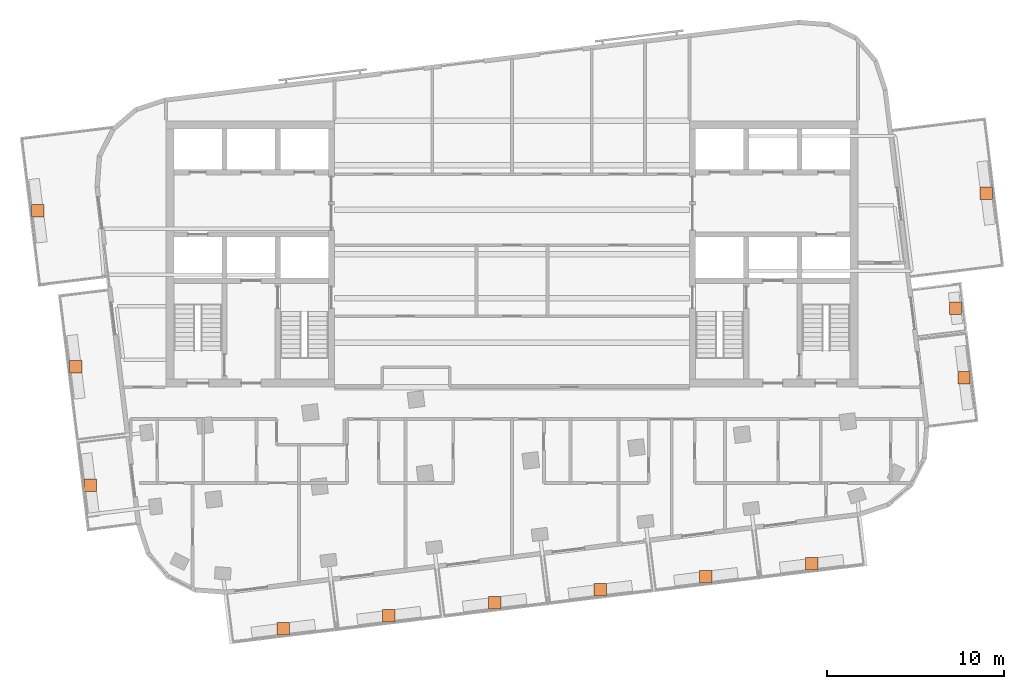
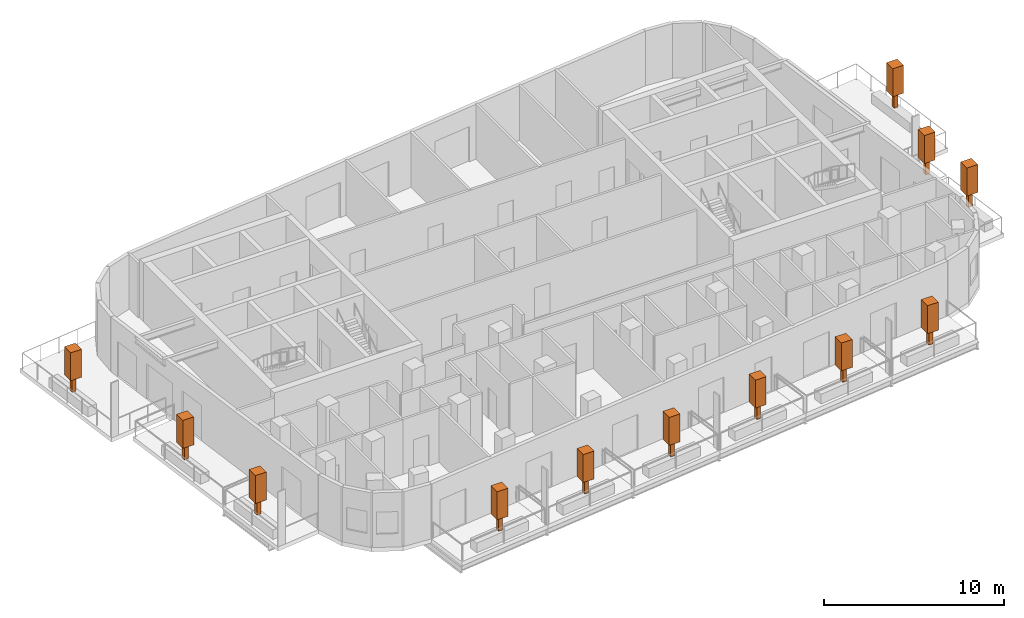
# One storey, part 11 of 11: 12 geographic elements.
"""IFC4 building model written with IfcOpenShell, lengths in metres."""

from ifc_helpers import new_model, si_unit, direction, frame, origin, origin_2d, place, context, subcontext, project, spatial, rectangle, extrude, material, element, save


model = new_model("IFC4")

# Units and contexts
model_context = context("Model", 3, precision=1e-05, world=origin(), true_north=direction((0.0, 1.0)))
body_context = subcontext(model_context, "Body", "Model", "MODEL_VIEW")
ifc_project = project(units=[si_unit("LENGTHUNIT", "METRE"), si_unit("AREAUNIT", "SQUARE_METRE"), si_unit("VOLUMEUNIT", "CUBIC_METRE"), si_unit("PLANEANGLEUNIT", "RADIAN"), si_unit("MASSUNIT", "GRAM", prefix="KILO")], contexts=[model_context])

# Site, building, storey
site_placement = place(None, origin())
site = spatial("IfcSite", under=ifc_project, at=site_placement, CompositionType="ELEMENT")
building_placement = place(site_placement, origin())
building = spatial("IfcBuilding", under=site, at=building_placement, Name="Torana Hotel and Residences", CompositionType="ELEMENT")
storey_placement = place(building_placement, frame((0.0, 0.0, 322.60009765625)))
storey = spatial("IfcBuildingStorey", under=building, at=storey_placement, Name="L85", CompositionType="ELEMENT", Elevation=322.60009765625)

# Geographic elements
ifc_material = material(Name="Foliage", Category="planting")
for number, where, z_axis, x_axis, name in (
    (1, (-12.8896484375, -28.605712890625, 0.64990234375), (0.0, 0.0, 1.0), (1.0, 0.0, 0.0), "Tree 01"),
    (2, (-6.934326171875, -27.87451171875, 0.64990234375), (0.0, 0.0, 1.0), (1.0, 0.0, 0.0), "Tree 02"),
    (3, (-0.97900390625, -27.143310546875, 0.64990234375), (0.0, 0.0, 1.0), (1.0, 0.0, 0.0), "Tree 03"),
    (4, (4.976318359375, -26.412109375, 0.64990234375), (0.0, 0.0, 1.0), (1.0, 0.0, 0.0), "Tree 04"),
    (5, (10.931396484375, -25.680908203125, 0.64990234375), (0.0, 0.0, 1.0), (1.0, 0.0, 0.0), "Tree 05"),
    (6, (16.88671875, -24.94970703125, 0.64990234375), (0.0, 0.0, 1.0), (1.0, 0.0, 0.0), "Tree 06"),
    (7, (-23.756103515625, -20.519775390625, 0.64990234375), (0.0, 0.0, 1.0), (1.0, 0.0, 0.0), "Tree 07"),
    (8, (-24.573974609375, -13.857421875, 0.64990234375), (0.0, 0.0, 1.0), (1.0, 0.0, 0.0), "Tree 08"),
    (9, (-26.71240234375, -5.058349609375, 0.64990234375), (0.0, 0.0, 1.0), (1.0, 0.0, 0.0), "Tree 09"),
    (10, (25.474365234375, -14.47509765625, 0.64990234375), (0.0, 0.0, 1.0), (1.0, 0.0, 0.0), "Tree 10"),
    (11, (24.992919921875, -10.5546875, 0.64990234375), (0.0, 0.0, 1.0), (1.0, 0.0, 0.0), "Tree 11"),
    (12, (26.71484375, -4.06494140625, 0.64990234375), (0.0, 0.0, 1.0), (1.0, 0.0, 0.0), "Tree 12"),
):
    element("IfcGeographicElement", number, at=place(storey_placement, frame(where, z_axis=z_axis, x_axis=x_axis)), inside=storey, material=ifc_material, Name=name, ObjectType="TREE", PredefinedType="USERDEFINED", context=body_context, shape_type="SweptSolid", body=[
        extrude(rectangle(XDim=0.25, YDim=0.25, at=origin_2d()), origin(), (0.0, 0.0, 1.0), 1.0),
        extrude(rectangle(XDim=0.699951171875, YDim=0.699951171875, at=origin_2d()), frame((0.0, 0.0, 1.0)), (0.0, 0.0, 1.0), 1.89990234375),
    ])

save(model, "model.ifc")
